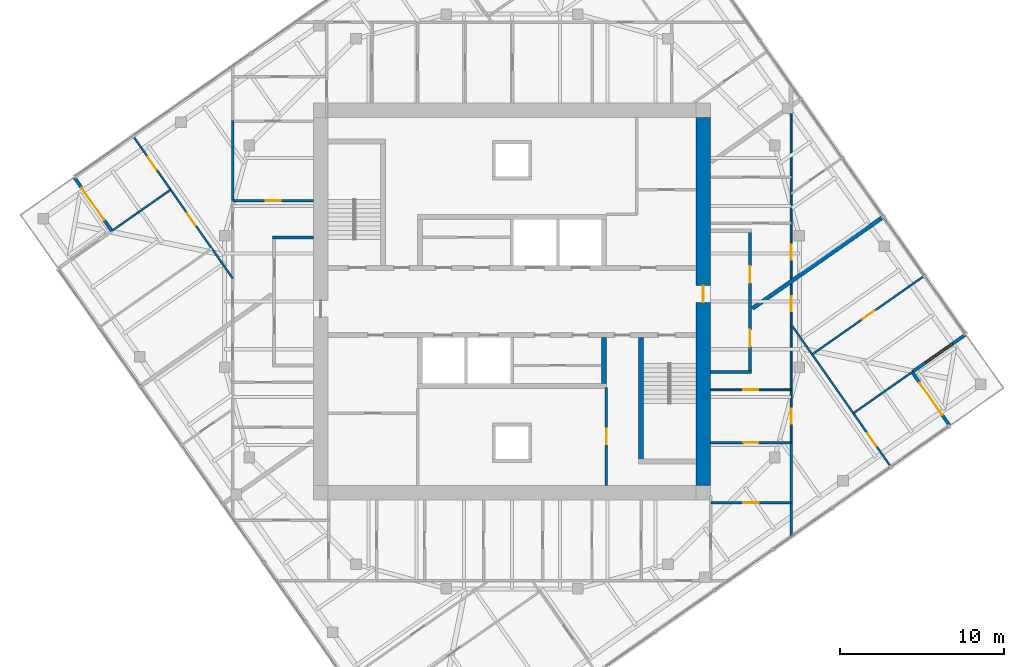
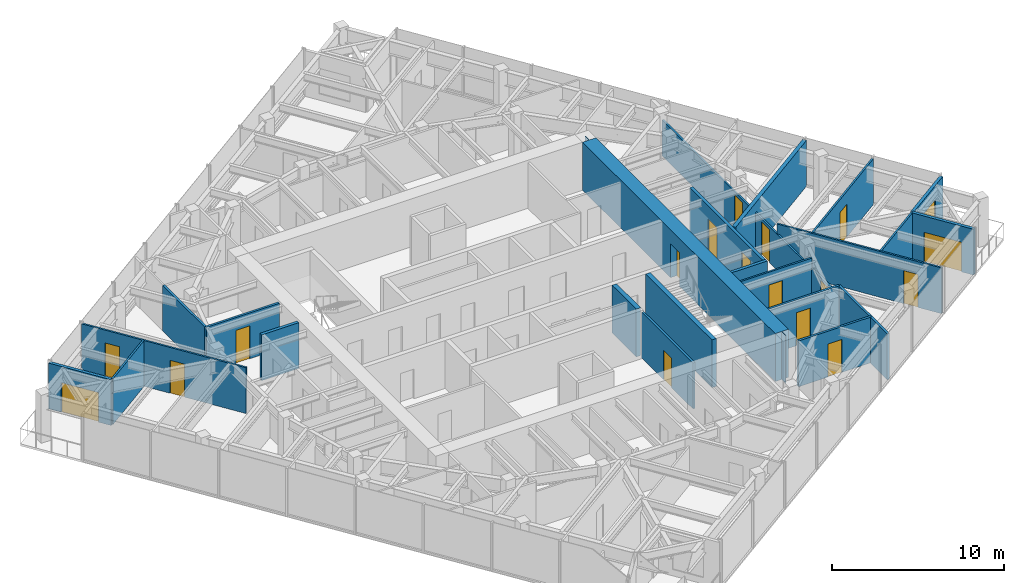
# One storey, part 9 of 12: 23 walls, 17 doors, 1 window, 18 openings.
"""IFC4 building model written with IfcOpenShell, lengths in metres."""

from ifc_helpers import new_model, si_unit, direction, frame, frame_2d, origin, place, context, subcontext, project, spatial, polyline, rectangle, outline, extrude, material, layer, layer_set, type_object, element, fill, save


model = new_model("IFC4")

# Units and contexts
model_context = context("Model", 3, precision=1e-05, world=origin(), true_north=direction((0.0, 1.0)))
body_context = subcontext(model_context, "Body", "Model", "MODEL_VIEW")
ifc_project = project(units=[si_unit("LENGTHUNIT", "METRE"), si_unit("AREAUNIT", "SQUARE_METRE"), si_unit("VOLUMEUNIT", "CUBIC_METRE"), si_unit("PLANEANGLEUNIT", "RADIAN"), si_unit("MASSUNIT", "GRAM", prefix="KILO")], contexts=[model_context])

# Site, building, storey
site_placement = place(None, origin())
site = spatial("IfcSite", under=ifc_project, at=site_placement, CompositionType="ELEMENT")
building_placement = place(site_placement, origin())
building = spatial("IfcBuilding", under=site, at=building_placement, Name="Torsade Residences", CompositionType="ELEMENT")
storey_placement = place(building_placement, frame((0.0, 0.0, 240.39990234375)))
storey = spatial("IfcBuildingStorey", under=building, at=storey_placement, Name="L66", CompositionType="ELEMENT", Elevation=240.39990234375)

# Walls
ifc_material_1 = material(Name="Concrete 80 MPa", Category="concrete")
ifc_layer_1 = layer(ifc_material_1, 0.300048828125)
ifc_layer_set_1 = layer_set([ifc_layer_1], Name="Concrete 80 MPa")
wall_type_1 = type_object("IfcWallType", Name="CORE INTERNAL WALL 300", PredefinedType="SHEAR", material=ifc_layer_set_1)
wall_1_placement = place(storey_placement, frame((45.60009765625, 27.800048828125, 0.0), z_axis=(0.0, 0.0, 1.0), x_axis=(0.0, -1.0, 0.0)))
element("IfcWall", 1, at=wall_1_placement, inside=storey, type_object=wall_type_1, Name="Core wall DS0 L66", PredefinedType="SHEAR", context=body_context, shape_type="SweptSolid", body=[
    extrude(rectangle(XDim=2.800048828125, YDim=0.300048828125, at=frame_2d((1.39990234375, 0.0))), origin(), (0.0, 0.0, 1.0), 3.400146484375),
])
wall_2_placement = place(storey_placement, frame((47.85009765625, 27.800048828125, 0.0), z_axis=(0.0, 0.0, 1.0), x_axis=(0.0, -1.0, 0.0)))
element("IfcWall", 2, at=wall_2_placement, inside=storey, type_object=wall_type_1, Name="Core wall ST2W L66", PredefinedType="SHEAR", context=body_context, shape_type="SweptSolid", body=[
    extrude(rectangle(XDim=7.699951171875, YDim=0.300048828125, at=frame_2d((3.85009765625, 0.0))), origin(), (0.0, 0.0, 1.0), 3.400146484375),
])

# Wall, opening, door
ifc_material_2 = material(Name="Concrete 80 MPa", Category="concrete")
ifc_layer_2 = layer(ifc_material_2, 0.89990234375)
ifc_layer_set_2 = layer_set([ifc_layer_2], Name="Concrete 80 MPa")
wall_type_2 = type_object("IfcWallType", Name="CORE WALL 900", PredefinedType="SHEAR", material=ifc_layer_set_2)
wall_3_placement = place(storey_placement, frame((51.64990234375, 18.800048828125, 0.0), z_axis=(0.0, 0.0, 1.0), x_axis=(0.0, 1.0, 0.0)))
wall_3 = element("IfcWall", 3, at=wall_3_placement, inside=storey, type_object=wall_type_2, Name="Core wall E L66", PredefinedType="SHEAR", context=body_context, shape_type="SweptSolid", body=[
    extrude(outline(polyline([(0.0, -0.449951171875), (22.39990234375, -0.449951171875), (22.39990234375, -0.02490234375), (22.849853515625, -0.02490234375), (22.849853515625, 0.02490234375), (22.39990234375, 0.02490234375), (22.39990234375, 0.449951171875), (0.0, 0.449951171875), (0.0, 0.02490234375), (-0.449951171875, 0.02490234375), (-0.449951171875, -0.02490234375), (0.0, -0.02490234375), (0.0, -0.449951171875)])), origin(), (0.0, 0.0, 1.0), 3.400146484375),
])
opening_1_placement = place(wall_3_placement, frame((11.139892578125, 0.0, 0.0)))
opening_1 = element("IfcOpeningElement", 4, at=opening_1_placement, cuts=wall_3, Name="Opening D04", PredefinedType="OPENING", context=body_context, shape_type="SweptSolid", body=[
    extrude(rectangle(XDim=1.02001953125, YDim=2.39990234375, at=frame_2d((0.510009765625, 1.199951171875))), frame((0.0, 0.4599609375, 0.0), z_axis=(0.0, -1.0, 0.0), x_axis=(1.0, 0.0, 0.0)), (0.0, 0.0, 1.0), 0.919921875),
])
ifc_material_3 = material(Name="Steel-framed fire door", Category="steel")
door_type_1 = type_object("IfcDoorType", Name="LOBBY SMOKE DOOR 1020x2400", OperationType="NOTDEFINED", PredefinedType="DOOR", material=ifc_material_3)
door_1_placement = place(opening_1_placement, origin())
door_1 = element("IfcDoor", 5, at=door_1_placement, inside=storey, type_object=door_type_1, Name="Lift lobby door E L66", OperationType="SINGLE_SWING_LEFT", OverallHeight=2.39990234375, OverallWidth=1.02001953125, PredefinedType="DOOR", context=body_context, shape_type="SweptSolid", body=[
    extrude(rectangle(XDim=1.02001953125, YDim=2.39990234375, at=frame_2d((0.510009765625, 1.199951171875))), frame((0.0, 0.02490234375, 0.0), z_axis=(0.0, -1.0, 0.0), x_axis=(1.0, 0.0, 0.0)), (0.0, 0.0, 1.0), 0.050048828125),
])
fill(opening_1, door_1)

# Wall, openings, doors
ifc_material_4 = material(Name="Plasterboard on steel stud", Category="steel")
ifc_layer_3 = layer(ifc_material_4, 0.199951171875)
ifc_layer_set_3 = layer_set([ifc_layer_3], Name="Plasterboard on steel stud")
wall_type_3 = type_object("IfcWallType", Name="CORRIDOR WALL 200", PredefinedType="PARTITIONING", material=ifc_layer_set_3)
wall_4_placement = place(storey_placement, frame((54.5, 25.699951171875, 0.0), z_axis=(0.0, 0.0, 1.0), x_axis=(0.0, 1.0, 0.0)))
wall_4 = element("IfcWall", 6, at=wall_4_placement, inside=storey, type_object=wall_type_3, Name="Corridor wall L66", PredefinedType="PARTITIONING", context=body_context, shape_type="SweptSolid", body=[
    extrude(rectangle(XDim=8.60009765625, YDim=0.199951171875, at=frame_2d((4.300048828125, 0.0))), origin(), (0.0, 0.0, 1.0), 3.25),
])
opening_2_placement = place(wall_4_placement, frame((5.43798828125, 0.0, 0.0)))
opening_2 = element("IfcOpeningElement", 7, at=opening_2_placement, cuts=wall_4, Name="Opening D01", PredefinedType="OPENING", context=body_context, shape_type="SweptSolid", body=[
    extrude(rectangle(XDim=1.02001953125, YDim=2.340087890625, at=frame_2d((0.510009765625, 1.169921875))), frame((0.0, 0.10986328125, 0.0), z_axis=(0.0, -1.0, 0.0), x_axis=(1.0, 0.0, 0.0)), (0.0, 0.0, 1.0), 0.219970703125),
])
opening_3_placement = place(wall_4_placement, frame((1.543212890625, 0.0, 0.0)))
opening_3 = element("IfcOpeningElement", 8, at=opening_3_placement, cuts=wall_4, Name="Opening D01", PredefinedType="OPENING", context=body_context, shape_type="SweptSolid", body=[
    extrude(rectangle(XDim=1.02001953125, YDim=2.340087890625, at=frame_2d((0.510009765625, 1.169921875))), frame((0.0, 0.10986328125, 0.0), z_axis=(0.0, -1.0, 0.0), x_axis=(1.0, 0.0, 0.0)), (0.0, 0.0, 1.0), 0.219970703125),
])
ifc_material_5 = material(Name="Solid-core timber fire door", Category="wood")
door_type_2 = type_object("IfcDoorType", Name="APARTMENT ENTRY DOOR 1020x2340", OperationType="NOTDEFINED", PredefinedType="DOOR", material=ifc_material_5)
door_2_placement = place(opening_2_placement, origin())
door_2 = element("IfcDoor", 9, at=door_2_placement, inside=storey, type_object=door_type_2, Name="Door Residential corridor to Kitchen and dining", OperationType="SINGLE_SWING_RIGHT", OverallHeight=2.340087890625, OverallWidth=1.02001953125, PredefinedType="DOOR", context=body_context, shape_type="SweptSolid", body=[
    extrude(rectangle(XDim=1.02001953125, YDim=2.340087890625, at=frame_2d((0.510009765625, 1.169921875))), frame((0.0, 0.02490234375, 0.0), z_axis=(0.0, -1.0, 0.0), x_axis=(1.0, 0.0, 0.0)), (0.0, 0.0, 1.0), 0.050048828125),
])
fill(opening_2, door_2)
door_3_placement = place(opening_3_placement, origin())
door_3 = element("IfcDoor", 10, at=door_3_placement, inside=storey, type_object=door_type_2, Name="Door Residential corridor to Kitchen and dining", OperationType="SINGLE_SWING_LEFT", OverallHeight=2.340087890625, OverallWidth=1.02001953125, PredefinedType="DOOR", context=body_context, shape_type="SweptSolid", body=[
    extrude(rectangle(XDim=1.02001953125, YDim=2.340087890625, at=frame_2d((0.510009765625, 1.169921875))), frame((0.0, 0.02490234375, 0.0), z_axis=(0.0, -1.0, 0.0), x_axis=(1.0, 0.0, 0.0)), (0.0, 0.0, 1.0), 0.050048828125),
])
fill(opening_3, door_3)

# Walls
for number, where, z_axis, x_axis, name in (
    (11, (52.10009765625, 25.699951171875, 0.0), (0.0, 0.0, 1.0), (1.0, 0.0, 0.0), "Corridor wall L66"),
    (12, (27.89990234375, 33.89990234375, 0.0), (0.0, 0.0, 1.0), (-1.0, 0.0, 0.0), "Corridor wall L66"),
):
    element("IfcWall", number, at=place(storey_placement, frame(where, z_axis=z_axis, x_axis=x_axis)), inside=storey, type_object=wall_type_3, Name=name, PredefinedType="PARTITIONING", context=body_context, shape_type="SweptSolid", body=[
        extrude(rectangle(XDim=2.5, YDim=0.199951171875, at=frame_2d((1.25, 0.0))), origin(), (0.0, 0.0, 1.0), 3.25),
    ])

# Wall, opening, door
ifc_material_6 = material(Name="Plasterboard on steel stud", Category="steel")
ifc_layer_4 = layer(ifc_material_6, 0.1201171875)
ifc_layer_set_4 = layer_set([ifc_layer_4], Name="Plasterboard on steel stud")
wall_type_4 = type_object("IfcWallType", Name="PARTITION 120", PredefinedType="PARTITIONING", material=ifc_layer_set_4)
wall_5_placement = place(storey_placement, frame((57.0, 24.617919921875, 0.0), z_axis=(0.0, 0.0, 1.0), x_axis=(-1.0, 0.0, 0.0)))
wall_5 = element("IfcWall", 13, at=wall_5_placement, inside=storey, type_object=wall_type_4, Name="Partition L66", PredefinedType="PARTITIONING", context=body_context, shape_type="SweptSolid", body=[
    extrude(rectangle(XDim=4.89990234375, YDim=0.1201171875, at=frame_2d((2.449951171875, 0.0))), origin(), (0.0, 0.0, 1.0), 3.25),
])
opening_4_placement = place(wall_5_placement, frame((1.989990234375, 0.0, 0.0)))
opening_4 = element("IfcOpeningElement", 14, at=opening_4_placement, cuts=wall_5, Name="Opening D02", PredefinedType="OPENING", context=body_context, shape_type="SweptSolid", body=[
    extrude(rectangle(XDim=0.919921875, YDim=2.340087890625, at=frame_2d((0.4599609375, 1.169921875))), frame((0.0, 0.070068359375, 0.0), z_axis=(0.0, -1.0, 0.0), x_axis=(1.0, 0.0, 0.0)), (0.0, 0.0, 1.0), 0.14013671875),
])
ifc_material_7 = material(Name="Hollow-core timber door", Category="wood")
door_type_3 = type_object("IfcDoorType", Name="INTERNAL DOOR 920x2340", OperationType="NOTDEFINED", PredefinedType="DOOR", material=ifc_material_7)
door_4_placement = place(opening_4_placement, origin())
door_4 = element("IfcDoor", 15, at=door_4_placement, inside=storey, type_object=door_type_3, Name="Door Kitchen and dining to Walk-in robe", OperationType="SINGLE_SWING_LEFT", OverallHeight=2.340087890625, OverallWidth=0.919921875, PredefinedType="DOOR", context=body_context, shape_type="SweptSolid", body=[
    extrude(rectangle(XDim=0.919921875, YDim=2.340087890625, at=frame_2d((0.4599609375, 1.169921875))), frame((0.0, 0.02490234375, 0.0), z_axis=(0.0, -1.0, 0.0), x_axis=(1.0, 0.0, 0.0)), (0.0, 0.0, 1.0), 0.050048828125),
])
fill(opening_4, door_4)

# Wall, openings, doors
wall_6_placement = place(storey_placement, frame((57.0, 41.903564453125, 0.0), z_axis=(0.0, 0.0, 1.0), x_axis=(0.0, -1.0, 0.0)))
wall_6 = element("IfcWall", 16, at=wall_6_placement, inside=storey, type_object=wall_type_4, Name="Partition L66", PredefinedType="PARTITIONING", context=body_context, shape_type="SweptSolid", body=[
    extrude(rectangle(XDim=20.497802734375, YDim=0.1201171875, at=frame_2d((10.2490234375, 0.0))), origin(), (0.0, 0.0, 1.0), 2.550048828125),
])
opening_5_placement = place(wall_6_placement, frame((8.449462890625, 0.0, 0.0)))
opening_5 = element("IfcOpeningElement", 17, at=opening_5_placement, cuts=wall_6, Name="Opening D02", PredefinedType="OPENING", context=body_context, shape_type="SweptSolid", body=[
    extrude(rectangle(XDim=0.919921875, YDim=2.340087890625, at=frame_2d((0.4599609375, 1.169921875))), frame((0.0, 0.070068359375, 0.0), z_axis=(0.0, -1.0, 0.0), x_axis=(1.0, 0.0, 0.0)), (0.0, 0.0, 1.0), 0.14013671875),
])
opening_6_placement = place(wall_6_placement, frame((11.573974609375, 0.0, 0.0)))
opening_6 = element("IfcOpeningElement", 18, at=opening_6_placement, cuts=wall_6, Name="Opening D02", PredefinedType="OPENING", context=body_context, shape_type="SweptSolid", body=[
    extrude(rectangle(XDim=0.919921875, YDim=2.340087890625, at=frame_2d((0.4599609375, 1.169921875))), frame((0.0, 0.070068359375, 0.0), z_axis=(0.0, -1.0, 0.0), x_axis=(1.0, 0.0, 0.0)), (0.0, 0.0, 1.0), 0.14013671875),
])
opening_7_placement = place(wall_6_placement, frame((18.431640625, 0.0, 0.0)))
opening_7 = element("IfcOpeningElement", 19, at=opening_7_placement, cuts=wall_6, Name="Opening D02", PredefinedType="OPENING", context=body_context, shape_type="SweptSolid", body=[
    extrude(rectangle(XDim=0.919921875, YDim=2.340087890625, at=frame_2d((0.4599609375, 1.169921875))), frame((0.0, 0.070068359375, 0.0), z_axis=(0.0, -1.0, 0.0), x_axis=(1.0, 0.0, 0.0)), (0.0, 0.0, 1.0), 0.14013671875),
])
door_5_placement = place(opening_5_placement, origin())
door_5 = element("IfcDoor", 20, at=door_5_placement, inside=storey, type_object=door_type_3, Name="Door Kitchen and dining to Living room", OperationType="SINGLE_SWING_LEFT", OverallHeight=2.340087890625, OverallWidth=0.919921875, PredefinedType="DOOR", context=body_context, shape_type="SweptSolid", body=[
    extrude(rectangle(XDim=0.919921875, YDim=2.340087890625, at=frame_2d((0.4599609375, 1.169921875))), frame((0.0, 0.02490234375, 0.0), z_axis=(0.0, -1.0, 0.0), x_axis=(1.0, 0.0, 0.0)), (0.0, 0.0, 1.0), 0.050048828125),
])
fill(opening_5, door_5)
door_6_placement = place(opening_6_placement, origin())
door_6 = element("IfcDoor", 21, at=door_6_placement, inside=storey, type_object=door_type_3, Name="Door Kitchen and dining to Bedroom 4", OperationType="SINGLE_SWING_LEFT", OverallHeight=2.340087890625, OverallWidth=0.919921875, PredefinedType="DOOR", context=body_context, shape_type="SweptSolid", body=[
    extrude(rectangle(XDim=0.919921875, YDim=2.340087890625, at=frame_2d((0.4599609375, 1.169921875))), frame((0.0, 0.02490234375, 0.0), z_axis=(0.0, -1.0, 0.0), x_axis=(1.0, 0.0, 0.0)), (0.0, 0.0, 1.0), 0.050048828125),
])
fill(opening_6, door_6)
door_7_placement = place(opening_7_placement, origin())
door_7 = element("IfcDoor", 22, at=door_7_placement, inside=storey, type_object=door_type_3, Name="Door Walk-in robe to Bedroom 1", OperationType="SINGLE_SWING_LEFT", OverallHeight=2.340087890625, OverallWidth=0.919921875, PredefinedType="DOOR", context=body_context, shape_type="SweptSolid", body=[
    extrude(rectangle(XDim=0.919921875, YDim=2.340087890625, at=frame_2d((0.4599609375, 1.169921875))), frame((0.0, 0.02490234375, 0.0), z_axis=(0.0, -1.0, 0.0), x_axis=(1.0, 0.0, 0.0)), (0.0, 0.0, 1.0), 0.050048828125),
])
fill(opening_7, door_7)

# Wall, opening, door
wall_7_placement = place(storey_placement, frame((57.0, 28.604248046875, 0.0), z_axis=(0.0, 0.0, 1.0), x_axis=(0.573575545802, -0.819152667857, 0.0)))
wall_7 = element("IfcWall", 23, at=wall_7_placement, inside=storey, type_object=wall_type_4, Name="Partition L66", PredefinedType="PARTITIONING", context=body_context, shape_type="SweptSolid", body=[
    extrude(rectangle(XDim=10.56591796875, YDim=0.1201171875, at=frame_2d((5.282958984375, 0.0))), origin(), (0.0, 0.0, 1.0), 3.25),
])
opening_8_placement = place(wall_7_placement, frame((8.120849609375, 0.0, 0.0)))
opening_8 = element("IfcOpeningElement", 24, at=opening_8_placement, cuts=wall_7, Name="Opening D02", PredefinedType="OPENING", context=body_context, shape_type="SweptSolid", body=[
    extrude(rectangle(XDim=0.919921875, YDim=2.340087890625, at=frame_2d((0.4599609375, 1.169921875))), frame((0.0, 0.070068359375, 0.0), z_axis=(0.0, -1.0, 0.0), x_axis=(1.0, 0.0, 0.0)), (0.0, 0.0, 1.0), 0.14013671875),
])
door_8_placement = place(opening_8_placement, origin())
door_8 = element("IfcDoor", 25, at=door_8_placement, inside=storey, type_object=door_type_3, Name="Door Bedroom 1 to Media room", OperationType="SINGLE_SWING_LEFT", OverallHeight=2.340087890625, OverallWidth=0.919921875, PredefinedType="DOOR", context=body_context, shape_type="SweptSolid", body=[
    extrude(rectangle(XDim=0.919921875, YDim=2.340087890625, at=frame_2d((0.4599609375, 1.169921875))), frame((0.0, 0.02490234375, 0.0), z_axis=(0.0, -1.0, 0.0), x_axis=(1.0, 0.0, 0.0)), (0.0, 0.0, 1.0), 0.050048828125),
])
fill(opening_8, door_8)

wall_8_placement = place(storey_placement, frame((58.279541015625, 26.77685546875, 0.0), z_axis=(0.0, 0.0, 1.0), x_axis=(0.819152099525, 0.573576357466, 0.0)))
wall_8 = element("IfcWall", 26, at=wall_8_placement, inside=storey, type_object=wall_type_4, Name="Partition L66", PredefinedType="PARTITIONING", context=body_context, shape_type="SweptSolid", body=[
    extrude(rectangle(XDim=8.3349609375, YDim=0.1201171875, at=frame_2d((4.16748046875, 0.0))), origin(), (0.0, 0.0, 1.0), 3.25),
])
opening_9_placement = place(wall_8_placement, frame((3.7275390625, 0.0, 0.0)))
opening_9 = element("IfcOpeningElement", 27, at=opening_9_placement, cuts=wall_8, Name="Opening D02", PredefinedType="OPENING", context=body_context, shape_type="SweptSolid", body=[
    extrude(rectangle(XDim=0.919921875, YDim=2.340087890625, at=frame_2d((0.4599609375, 1.169921875))), frame((0.0, 0.070068359375, 0.0), z_axis=(0.0, -1.0, 0.0), x_axis=(1.0, 0.0, 0.0)), (0.0, 0.0, 1.0), 0.14013671875),
])
door_9_placement = place(opening_9_placement, origin())
door_9 = element("IfcDoor", 28, at=door_9_placement, inside=storey, type_object=door_type_3, Name="Door Bedroom 4 to Bedroom 3", OperationType="SINGLE_SWING_LEFT", OverallHeight=2.340087890625, OverallWidth=0.919921875, PredefinedType="DOOR", context=body_context, shape_type="SweptSolid", body=[
    extrude(rectangle(XDim=0.919921875, YDim=2.340087890625, at=frame_2d((0.4599609375, 1.169921875))), frame((0.0, 0.02490234375, 0.0), z_axis=(0.0, -1.0, 0.0), x_axis=(1.0, 0.0, 0.0)), (0.0, 0.0, 1.0), 0.050048828125),
])
fill(opening_9, door_9)

# Wall
wall_9_placement = place(storey_placement, frame((64.340087890625, 25.679443359375, 0.0), z_axis=(0.0, 0.0, 1.0), x_axis=(-0.819165768115, -0.573556836197, 0.0)))
element("IfcWall", 29, at=wall_9_placement, inside=storey, type_object=wall_type_4, Name="Partition L66", PredefinedType="PARTITIONING", context=body_context, shape_type="SweptSolid", body=[
    extrude(rectangle(XDim=4.3349609375, YDim=0.1201171875, at=frame_2d((2.16748046875, 0.0))), origin(), (0.0, 0.0, 1.0), 3.25),
])

# Wall, openings, doors
wall_10_placement = place(storey_placement, frame((23.0, 31.395751953125, 0.0), z_axis=(0.0, 0.0, 1.0), x_axis=(-0.573575545802, 0.819152667857, 0.0)))
wall_10 = element("IfcWall", 30, at=wall_10_placement, inside=storey, type_object=wall_type_4, Name="Partition L66", PredefinedType="PARTITIONING", context=body_context, shape_type="SweptSolid", body=[
    extrude(rectangle(XDim=10.56591796875, YDim=0.1201171875, at=frame_2d((5.282958984375, 0.0))), origin(), (0.0, 0.0, 1.0), 3.25),
])
opening_10_placement = place(wall_10_placement, frame((3.958251953125, 0.0, 0.0)))
opening_10 = element("IfcOpeningElement", 31, at=opening_10_placement, cuts=wall_10, Name="Opening D02", PredefinedType="OPENING", context=body_context, shape_type="SweptSolid", body=[
    extrude(rectangle(XDim=0.919921875, YDim=2.340087890625, at=frame_2d((0.4599609375, 1.169921875))), frame((0.0, 0.070068359375, 0.0), z_axis=(0.0, -1.0, 0.0), x_axis=(1.0, 0.0, 0.0)), (0.0, 0.0, 1.0), 0.14013671875),
])
opening_11_placement = place(wall_10_placement, frame((8.120849609375, 0.0, 0.0)))
opening_11 = element("IfcOpeningElement", 32, at=opening_11_placement, cuts=wall_10, Name="Opening D02", PredefinedType="OPENING", context=body_context, shape_type="SweptSolid", body=[
    extrude(rectangle(XDim=0.919921875, YDim=2.340087890625, at=frame_2d((0.4599609375, 1.169921875))), frame((0.0, 0.070068359375, 0.0), z_axis=(0.0, -1.0, 0.0), x_axis=(1.0, 0.0, 0.0)), (0.0, 0.0, 1.0), 0.14013671875),
])
door_10_placement = place(opening_10_placement, origin())
door_10 = element("IfcDoor", 33, at=door_10_placement, inside=storey, type_object=door_type_3, Name="Door Bedroom 1 to Bedroom 2", OperationType="SINGLE_SWING_RIGHT", OverallHeight=2.340087890625, OverallWidth=0.919921875, PredefinedType="DOOR", context=body_context, shape_type="SweptSolid", body=[
    extrude(rectangle(XDim=0.919921875, YDim=2.340087890625, at=frame_2d((0.4599609375, 1.169921875))), frame((0.0, 0.02490234375, 0.0), z_axis=(0.0, -1.0, 0.0), x_axis=(1.0, 0.0, 0.0)), (0.0, 0.0, 1.0), 0.050048828125),
])
fill(opening_10, door_10)
door_11_placement = place(opening_11_placement, origin())
door_11 = element("IfcDoor", 34, at=door_11_placement, inside=storey, type_object=door_type_3, Name="Door Bedroom 1 to Media room", OperationType="SINGLE_SWING_LEFT", OverallHeight=2.340087890625, OverallWidth=0.919921875, PredefinedType="DOOR", context=body_context, shape_type="SweptSolid", body=[
    extrude(rectangle(XDim=0.919921875, YDim=2.340087890625, at=frame_2d((0.4599609375, 1.169921875))), frame((0.0, 0.02490234375, 0.0), z_axis=(0.0, -1.0, 0.0), x_axis=(1.0, 0.0, 0.0)), (0.0, 0.0, 1.0), 0.050048828125),
])
fill(opening_11, door_11)

# Walls
wall_11_placement = place(storey_placement, frame((15.659912109375, 34.320556640625, 0.0), z_axis=(0.0, 0.0, 1.0), x_axis=(0.819165768115, 0.573556836197, 0.0)))
element("IfcWall", 35, at=wall_11_placement, inside=storey, type_object=wall_type_4, Name="Partition L66", PredefinedType="PARTITIONING", context=body_context, shape_type="SweptSolid", body=[
    extrude(rectangle(XDim=4.3349609375, YDim=0.1201171875, at=frame_2d((2.16748046875, 0.0))), origin(), (0.0, 0.0, 1.0), 3.25),
])
ifc_material_8 = material(Name="Masonry-lined stud party wall", Category="masonry")
ifc_layer_5 = layer(ifc_material_8, 0.25)
ifc_layer_set_5 = layer_set([ifc_layer_5], Name="Masonry-lined stud party wall")
wall_type_5 = type_object("IfcWallType", Name="PARTY WALL 250", PredefinedType="PARTITIONING", material=ifc_layer_set_5)
wall_12_placement = place(storey_placement, frame((62.630615234375, 35.164306640625, 0.0), z_axis=(0.0, 0.0, 1.0), x_axis=(-0.81915902312, -0.573566469418, 0.0)))
element("IfcWall", 36, at=wall_12_placement, inside=storey, type_object=wall_type_5, Name="Party wall L66", PredefinedType="PARTITIONING", context=body_context, shape_type="SweptSolid", body=[
    extrude(rectangle(XDim=9.755859375, YDim=0.25, at=frame_2d((4.8779296875, 0.0))), origin(), (0.0, 0.0, 1.0), 3.25),
])

# Wall, opening, door
ifc_material_9 = material(Name="Reinforced blockwork", Category="masonry")
ifc_layer_6 = layer(ifc_material_9, 0.14990234375)
ifc_layer_set_6 = layer_set([ifc_layer_6], Name="Reinforced blockwork")
wall_type_6 = type_object("IfcWallType", Name="SERVICE ROOM WALL 150", PredefinedType="SOLIDWALL", material=ifc_layer_set_6)
wall_13_placement = place(storey_placement, frame((45.75, 18.800048828125, 0.0), z_axis=(0.0, 0.0, 1.0), x_axis=(0.0, 1.0, 0.0)))
wall_13 = element("IfcWall", 37, at=wall_13_placement, inside=storey, type_object=wall_type_6, Name="Service room wall L66", PredefinedType="SOLIDWALL", context=body_context, shape_type="SweptSolid", body=[
    extrude(rectangle(XDim=5.949951171875, YDim=0.14990234375, at=frame_2d((2.97509765625, 0.0))), origin(), (0.0, 0.0, 1.0), 3.25),
])
opening_12_placement = place(wall_13_placement, frame((2.514892578125, 0.0, 0.0)))
opening_12 = element("IfcOpeningElement", 38, at=opening_12_placement, cuts=wall_13, Name="Opening D06", PredefinedType="OPENING", context=body_context, shape_type="SweptSolid", body=[
    extrude(rectangle(XDim=0.919921875, YDim=2.10009765625, at=frame_2d((0.4599609375, 1.050048828125))), frame((0.0, 0.0849609375, 0.0), z_axis=(0.0, -1.0, 0.0), x_axis=(1.0, 0.0, 0.0)), (0.0, 0.0, 1.0), 0.169921875),
])
ifc_material_10 = material(Name="Steel-framed fire door", Category="steel")
door_type_4 = type_object("IfcDoorType", Name="FIRE DOOR 920", OperationType="NOTDEFINED", PredefinedType="DOOR", material=ifc_material_10)
door_12_placement = place(opening_12_placement, origin())
door_12 = element("IfcDoor", 39, at=door_12_placement, inside=storey, type_object=door_type_4, Name="Door Security and data store to Communications riser room", OperationType="SINGLE_SWING_LEFT", OverallHeight=2.10009765625, OverallWidth=0.919921875, PredefinedType="DOOR", context=body_context, shape_type="SweptSolid", body=[
    extrude(rectangle(XDim=0.919921875, YDim=2.10009765625, at=frame_2d((0.4599609375, 1.050048828125))), frame((0.0, 0.02490234375, 0.0), z_axis=(0.0, -1.0, 0.0), x_axis=(1.0, 0.0, 0.0)), (0.0, 0.0, 1.0), 0.050048828125),
])
fill(opening_12, door_12)

wall_14_placement = place(storey_placement, frame((52.10888671875, 17.743408203125, 0.0), z_axis=(0.0, 0.0, 1.0), x_axis=(1.0, 0.0, 0.0)))
wall_14 = element("IfcWall", 40, at=wall_14_placement, inside=storey, type_object=wall_type_6, Name="Service room wall L66", PredefinedType="SOLIDWALL", context=body_context, shape_type="SweptSolid", body=[
    extrude(rectangle(XDim=4.89111328125, YDim=0.14990234375, at=frame_2d((2.445556640625, 0.0))), origin(), (0.0, 0.0, 1.0), 3.25),
])
opening_13_placement = place(wall_14_placement, frame((1.985595703125, 0.0, 0.0)))
opening_13 = element("IfcOpeningElement", 41, at=opening_13_placement, cuts=wall_14, Name="Opening D02", PredefinedType="OPENING", context=body_context, shape_type="SweptSolid", body=[
    extrude(rectangle(XDim=0.919921875, YDim=2.340087890625, at=frame_2d((0.4599609375, 1.169921875))), frame((0.0, 0.0849609375, 0.0), z_axis=(0.0, -1.0, 0.0), x_axis=(1.0, 0.0, 0.0)), (0.0, 0.0, 1.0), 0.169921875),
])
door_13_placement = place(opening_13_placement, origin())
door_13 = element("IfcDoor", 42, at=door_13_placement, inside=storey, type_object=door_type_3, Name="Door Store to Linen store 3", OperationType="SINGLE_SWING_RIGHT", OverallHeight=2.340087890625, OverallWidth=0.919921875, PredefinedType="DOOR", context=body_context, shape_type="SweptSolid", body=[
    extrude(rectangle(XDim=0.919921875, YDim=2.340087890625, at=frame_2d((0.4599609375, 1.169921875))), frame((0.0, 0.02490234375, 0.0), z_axis=(0.0, -1.0, 0.0), x_axis=(1.0, 0.0, 0.0)), (0.0, 0.0, 1.0), 0.050048828125),
])
fill(opening_13, door_13)

# Wall
wall_15_placement = place(storey_placement, frame((57.0, 21.40576171875, 0.0), z_axis=(0.0, 0.0, 1.0), x_axis=(0.0, -1.0, 0.0)))
element("IfcWall", 43, at=wall_15_placement, inside=storey, type_object=wall_type_6, Name="Service room wall L66", PredefinedType="SOLIDWALL", context=body_context, shape_type="SweptSolid", body=[
    extrude(rectangle(XDim=5.699951171875, YDim=0.14990234375, at=frame_2d((2.85009765625, 0.0))), origin(), (0.0, 0.0, 1.0), 3.25),
])

# Wall, opening, door
wall_16_placement = place(storey_placement, frame((57.0, 21.40576171875, 0.0), z_axis=(0.0, 0.0, 1.0), x_axis=(-1.0, 0.0, 0.0)))
wall_16 = element("IfcWall", 44, at=wall_16_placement, inside=storey, type_object=wall_type_6, Name="Service room wall L66", PredefinedType="SOLIDWALL", context=body_context, shape_type="SweptSolid", body=[
    extrude(rectangle(XDim=4.89990234375, YDim=0.14990234375, at=frame_2d((2.449951171875, 0.0))), origin(), (0.0, 0.0, 1.0), 3.25),
])
opening_14_placement = place(wall_16_placement, frame((1.989990234375, 0.0, 0.0)))
opening_14 = element("IfcOpeningElement", 45, at=opening_14_placement, cuts=wall_16, Name="Opening D02", PredefinedType="OPENING", context=body_context, shape_type="SweptSolid", body=[
    extrude(rectangle(XDim=0.919921875, YDim=2.340087890625, at=frame_2d((0.4599609375, 1.169921875))), frame((0.0, 0.0849609375, 0.0), z_axis=(0.0, -1.0, 0.0), x_axis=(1.0, 0.0, 0.0)), (0.0, 0.0, 1.0), 0.169921875),
])
door_14_placement = place(opening_14_placement, origin())
door_14 = element("IfcDoor", 46, at=door_14_placement, inside=storey, type_object=door_type_3, Name="Door Walk-in robe to Store", OperationType="SINGLE_SWING_LEFT", OverallHeight=2.340087890625, OverallWidth=0.919921875, PredefinedType="DOOR", context=body_context, shape_type="SweptSolid", body=[
    extrude(rectangle(XDim=0.919921875, YDim=2.340087890625, at=frame_2d((0.4599609375, 1.169921875))), frame((0.0, 0.02490234375, 0.0), z_axis=(0.0, -1.0, 0.0), x_axis=(1.0, 0.0, 0.0)), (0.0, 0.0, 1.0), 0.050048828125),
])
fill(opening_14, door_14)

wall_17_placement = place(storey_placement, frame((23.0, 36.14453125, 0.0), z_axis=(0.0, 0.0, 1.0), x_axis=(1.0, 0.0, 0.0)))
wall_17 = element("IfcWall", 47, at=wall_17_placement, inside=storey, type_object=wall_type_6, Name="Service room wall L66", PredefinedType="SOLIDWALL", context=body_context, shape_type="SweptSolid", body=[
    extrude(rectangle(XDim=4.89990234375, YDim=0.14990234375, at=frame_2d((2.449951171875, 0.0))), origin(), (0.0, 0.0, 1.0), 3.25),
])
opening_15_placement = place(wall_17_placement, frame((1.989990234375, 0.0, 0.0)))
opening_15 = element("IfcOpeningElement", 48, at=opening_15_placement, cuts=wall_17, Name="Opening D02", PredefinedType="OPENING", context=body_context, shape_type="SweptSolid", body=[
    extrude(rectangle(XDim=0.919921875, YDim=2.340087890625, at=frame_2d((0.4599609375, 1.169921875))), frame((0.0, 0.0849609375, 0.0), z_axis=(0.0, -1.0, 0.0), x_axis=(1.0, 0.0, 0.0)), (0.0, 0.0, 1.0), 0.169921875),
])
door_15_placement = place(opening_15_placement, origin())
door_15 = element("IfcDoor", 49, at=door_15_placement, inside=storey, type_object=door_type_3, Name="Door Kitchen and dining to Linen store 4", OperationType="SINGLE_SWING_LEFT", OverallHeight=2.340087890625, OverallWidth=0.919921875, PredefinedType="DOOR", context=body_context, shape_type="SweptSolid", body=[
    extrude(rectangle(XDim=0.919921875, YDim=2.340087890625, at=frame_2d((0.4599609375, 1.169921875))), frame((0.0, 0.02490234375, 0.0), z_axis=(0.0, -1.0, 0.0), x_axis=(1.0, 0.0, 0.0)), (0.0, 0.0, 1.0), 0.050048828125),
])
fill(opening_15, door_15)

# Wall
wall_18_placement = place(storey_placement, frame((23.0, 41.02392578125, 0.0), z_axis=(0.0, 0.0, 1.0), x_axis=(0.0, -1.0, 0.0)))
element("IfcWall", 50, at=wall_18_placement, inside=storey, type_object=wall_type_6, Name="Service room wall L66", PredefinedType="SOLIDWALL", context=body_context, shape_type="SweptSolid", body=[
    extrude(rectangle(XDim=4.87939453125, YDim=0.14990234375, at=frame_2d((2.439697265625, 0.0))), origin(), (0.0, 0.0, 1.0), 3.25),
])

# Wall, opening, door
ifc_material_11 = material(Name="Stone-faced precast concrete 40 MPa panel", Category="masonry")
ifc_layer_7 = layer(ifc_material_11, 0.199951171875)
ifc_layer_set_7 = layer_set([ifc_layer_7], Name="Stone-faced precast concrete 40 MPa panel")
wall_type_7 = type_object("IfcWallType", Name="TERRACE WALL 200", PredefinedType="SOLIDWALL", material=ifc_layer_set_7)
wall_19_placement = place(storey_placement, frame((66.6669921875, 22.42578125, 0.0), z_axis=(0.0, 0.0, 1.0), x_axis=(-0.573556557423, 0.819165963305, 0.0)))
wall_19 = element("IfcWall", 51, at=wall_19_placement, inside=storey, type_object=wall_type_7, Name="Terrace wall L66 2", PredefinedType="SOLIDWALL", context=body_context, shape_type="SweptSolid", body=[
    extrude(rectangle(XDim=4.0, YDim=0.199951171875, at=frame_2d((2.0, 0.0))), origin(), (0.0, 0.0, 1.0), 3.25),
])
opening_16_placement = place(wall_19_placement, frame((0.800048828125, 0.0, 0.0)))
opening_16 = element("IfcOpeningElement", 52, at=opening_16_placement, cuts=wall_19, Name="Opening D10A", PredefinedType="OPENING", context=body_context, shape_type="SweptSolid", body=[
    extrude(rectangle(XDim=2.39990234375, YDim=2.10009765625, at=frame_2d((1.199951171875, 1.050048828125))), frame((0.0, 0.10986328125, 0.0), z_axis=(0.0, -1.0, 0.0), x_axis=(1.0, 0.0, 0.0)), (0.0, 0.0, 1.0), 0.219970703125),
])
ifc_material_12 = material(Name="Aluminium-framed glass door", Category="aluminium")
door_type_5 = type_object("IfcDoorType", Name="TERRACE SLIDING DOOR 2400x2100", OperationType="SLIDING_TO_LEFT", PredefinedType="DOOR", material=ifc_material_12)
door_16_placement = place(opening_16_placement, origin())
door_16 = element("IfcDoor", 53, at=door_16_placement, inside=storey, type_object=door_type_5, Name="Terrace door L66 2", OperationType="SLIDING_TO_LEFT", OverallHeight=2.10009765625, OverallWidth=2.39990234375, PredefinedType="DOOR", context=body_context, shape_type="SweptSolid", body=[
    extrude(rectangle(XDim=2.39990234375, YDim=2.10009765625, at=frame_2d((1.199951171875, 1.050048828125))), frame((0.0, 0.02490234375, 0.0), z_axis=(0.0, -1.0, 0.0), x_axis=(1.0, 0.0, 0.0)), (0.0, 0.0, 1.0), 0.050048828125),
])
fill(opening_16, door_16)

# Wall, opening, window
wall_20_placement = place(storey_placement, frame((64.372802734375, 25.702392578125, 0.0), z_axis=(0.0, 0.0, 1.0), x_axis=(0.819137286189, 0.573597512525, 0.0)))
wall_20 = element("IfcWall", 54, at=wall_20_placement, inside=storey, type_object=wall_type_7, Name="Terrace wall L66 3", PredefinedType="SOLIDWALL", context=body_context, shape_type="SweptSolid", body=[
    extrude(rectangle(XDim=4.0, YDim=0.199951171875, at=frame_2d((2.0, 0.0))), origin(), (0.0, 0.0, 1.0), 3.25),
])
opening_17_placement = place(wall_20_placement, frame((1.0, 0.0, 0.449951171875)))
opening_17 = element("IfcOpeningElement", 55, at=opening_17_placement, cuts=wall_20, Name="Opening W1B", PredefinedType="OPENING", context=body_context, shape_type="SweptSolid", body=[
    extrude(rectangle(XDim=2.0, YDim=1.800048828125, at=frame_2d((1.0, 0.89990234375))), frame((0.0, 0.10986328125, 0.0), z_axis=(0.0, -1.0, 0.0), x_axis=(1.0, 0.0, 0.0)), (0.0, 0.0, 1.0), 0.219970703125),
])
ifc_material_13 = material(Name="Aluminium-framed glass window", Category="aluminium")
window_type = type_object("IfcWindowType", Name="TERRACE WINDOW 2000x1800", PartitioningType="SINGLE_PANEL", PredefinedType="WINDOW", material=ifc_material_13)
window_placement = place(opening_17_placement, origin())
window = element("IfcWindow", 56, at=window_placement, inside=storey, type_object=window_type, Name="Terrace window L66 3", OverallHeight=1.800048828125, OverallWidth=2.0, PartitioningType="SINGLE_PANEL", PredefinedType="WINDOW", context=body_context, shape_type="SweptSolid", body=[
    extrude(rectangle(XDim=2.0, YDim=1.800048828125, at=frame_2d((1.0, 0.89990234375))), frame((0.0, 0.030029296875, 0.0), z_axis=(0.0, -1.0, 0.0), x_axis=(1.0, 0.0, 0.0)), (0.0, 0.0, 1.0), 0.06005859375),
])
fill(opening_17, window)

# Wall, opening, door
wall_21_placement = place(storey_placement, frame((13.3330078125, 37.57421875, 0.0), z_axis=(0.0, 0.0, 1.0), x_axis=(0.573556557423, -0.819165963305, 0.0)))
wall_21 = element("IfcWall", 57, at=wall_21_placement, inside=storey, type_object=wall_type_7, Name="Terrace wall L66 8", PredefinedType="SOLIDWALL", context=body_context, shape_type="SweptSolid", body=[
    extrude(rectangle(XDim=4.0, YDim=0.199951171875, at=frame_2d((2.0, 0.0))), origin(), (0.0, 0.0, 1.0), 3.25),
])
opening_18_placement = place(wall_21_placement, frame((0.800048828125, 0.0, 0.0)))
opening_18 = element("IfcOpeningElement", 58, at=opening_18_placement, cuts=wall_21, Name="Opening D10A", PredefinedType="OPENING", context=body_context, shape_type="SweptSolid", body=[
    extrude(rectangle(XDim=2.39990234375, YDim=2.10009765625, at=frame_2d((1.199951171875, 1.050048828125))), frame((0.0, 0.10986328125, 0.0), z_axis=(0.0, -1.0, 0.0), x_axis=(1.0, 0.0, 0.0)), (0.0, 0.0, 1.0), 0.219970703125),
])
door_17_placement = place(opening_18_placement, origin())
door_17 = element("IfcDoor", 59, at=door_17_placement, inside=storey, type_object=door_type_5, Name="Terrace door L66 8", OperationType="SLIDING_TO_LEFT", OverallHeight=2.10009765625, OverallWidth=2.39990234375, PredefinedType="DOOR", context=body_context, shape_type="SweptSolid", body=[
    extrude(rectangle(XDim=2.39990234375, YDim=2.10009765625, at=frame_2d((1.199951171875, 1.050048828125))), frame((0.0, 0.02490234375, 0.0), z_axis=(0.0, -1.0, 0.0), x_axis=(1.0, 0.0, 0.0)), (0.0, 0.0, 1.0), 0.050048828125),
])
fill(opening_18, door_17)

save(model, "model.ifc")
